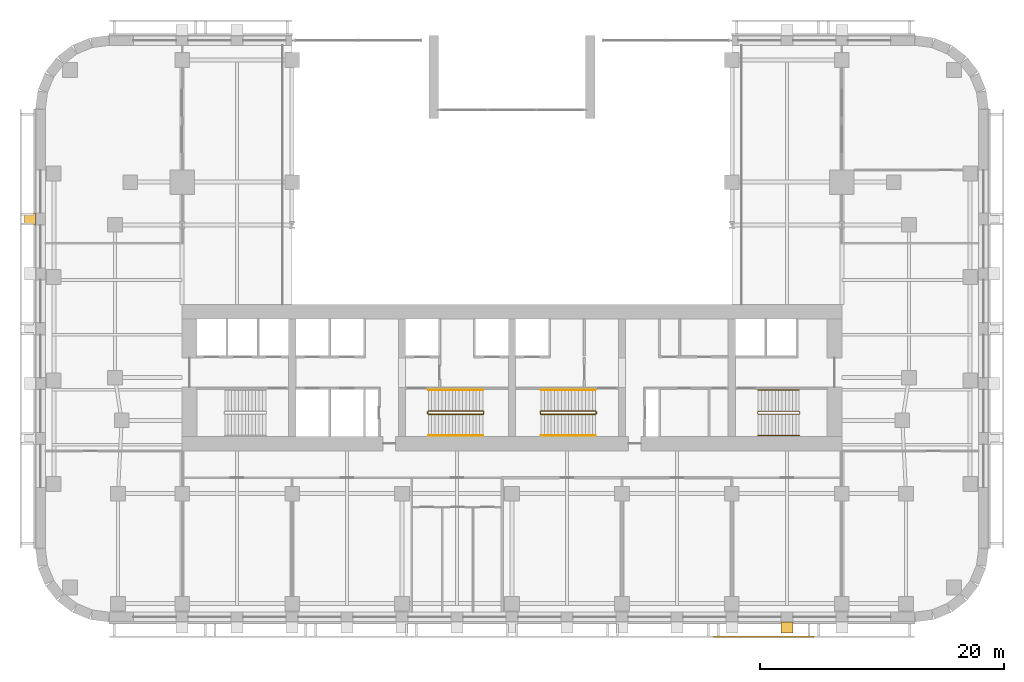
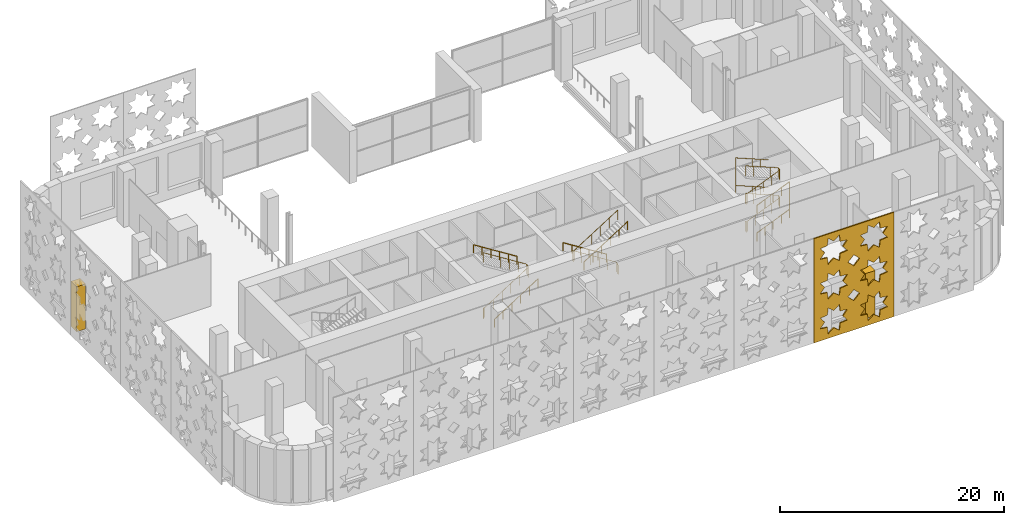
# One storey, part 13 of 17: 9 railings, 3 coverings.
"""IFC4 building model written with IfcOpenShell, lengths in metres."""

import ifcopenshell
import ifcopenshell.guid

model = None  # the IFC model being written
_history = None  # IfcOwnerHistory: only IFC2X3 demands one
_inside = {}  # id of a spatial element -> (the spatial element, [elements in it])
_under = {}  # id of a project, library or spatial element -> (it, [spatial elements below it])
_declared = {}  # id of a project -> (the project, [libraries it declares])
_typed = {}  # id of a type object -> (the type object, [elements of that type])
_made_of = {}  # id of a material, layer set ... -> (it, [elements and type objects made of it])


def new_model(schema):
    """Start an empty IFC model of exactly this schema.

    Asked for "IFC4X3", IfcOpenShell would pick the latest addendum, in which some entities
    have other attributes; the version numbers below select the first issue.
    IFC2X3 requires an IfcOwnerHistory on every rooted entity: one is made here for all.
    """
    global model, _history
    if schema == "IFC4X3":
        model = ifcopenshell.file(schema_version=(4, 3, 0, 0))
    else:
        model = ifcopenshell.file(schema=schema)
    _inside.clear()
    _under.clear()
    _declared.clear()
    _typed.clear()
    _made_of.clear()
    _history = None
    if model.schema == "IFC2X3":
        org = make("IfcOrganization", Name="unknown")
        user = make(
            "IfcPersonAndOrganization",
            ThePerson=make("IfcPerson", FamilyName="unknown"),
            TheOrganization=org,
        )
        app = make(
            "IfcApplication",
            ApplicationDeveloper=org,
            Version="unknown",
            ApplicationFullName="unknown",
            ApplicationIdentifier="unknown",
        )
        _history = make(
            "IfcOwnerHistory",
            OwningUser=user,
            OwningApplication=app,
            ChangeAction="ADDED",
            CreationDate=0,
        )
    return model


def make(cls, **values):
    """One entity of the class cls with the attributes given. An attribute that is None is left unset."""
    return model.create_entity(
        cls, **{name: value for name, value in values.items() if value is not None}
    )


def rooted(cls, **values):
    """An entity with a GlobalId (a new one), such as an element, a storey or a relation."""
    return make(cls, GlobalId=ifcopenshell.guid.new(), OwnerHistory=_history, **values)


def si_unit(unit_type, name, prefix=None):
    """IfcSIUnit, for example si_unit("LENGTHUNIT", "METRE", prefix="MILLI")."""
    return make("IfcSIUnit", UnitType=unit_type, Prefix=prefix, Name=name)


def assignment(units):
    """IfcUnitAssignment: the units of a project."""
    return None if units is None else make("IfcUnitAssignment", Units=units)


def point(xyz):
    """IfcCartesianPoint."""
    return None if xyz is None else make("IfcCartesianPoint", Coordinates=xyz)


def direction(xyz):
    """IfcDirection."""
    return None if xyz is None else make("IfcDirection", DirectionRatios=xyz)


def frame(location, z_axis=None, x_axis=None):
    """IfcAxis2Placement3D, a coordinate frame: its origin and axes. An axis left out is left unset."""
    return make(
        "IfcAxis2Placement3D",
        Location=point(location),
        Axis=direction(z_axis),
        RefDirection=direction(x_axis),
    )


def frame_2d(location, x_axis=None):
    """IfcAxis2Placement2D, a coordinate frame in the plane: its origin and x axis."""
    return make(
        "IfcAxis2Placement2D", Location=point(location), RefDirection=direction(x_axis)
    )


def origin():
    """The frame at (0, 0, 0) with its axes left unset."""
    return frame((0.0, 0.0, 0.0))


def origin_2d():
    """The frame at (0, 0) in the plane with its x axis left unset."""
    return frame_2d((0.0, 0.0))


def place(relative_to, where):
    """IfcLocalPlacement: puts the frame where relative to a parent placement (None: the world)."""
    return make(
        "IfcLocalPlacement", PlacementRelTo=relative_to, RelativePlacement=where
    )


def context(
    kind, dimensions, precision=None, world=None, true_north=None, identifier=None
):
    """IfcGeometricRepresentationContext, for example the 3D "Model" context."""
    return make(
        "IfcGeometricRepresentationContext",
        ContextIdentifier=identifier,
        ContextType=kind,
        CoordinateSpaceDimension=dimensions,
        Precision=precision,
        WorldCoordinateSystem=world,
        TrueNorth=true_north,
    )


def subcontext(parent, identifier, kind, view, scale=None):
    """IfcGeometricRepresentationSubContext, for example "Body" below "Model"."""
    return make(
        "IfcGeometricRepresentationSubContext",
        ContextIdentifier=identifier,
        ContextType=kind,
        ParentContext=parent,
        TargetScale=scale,
        TargetView=view,
    )


def project(units=None, contexts=None):
    """IfcProject with its units and contexts."""
    return rooted(
        "IfcProject",
        Name="project",
        RepresentationContexts=contexts,
        UnitsInContext=assignment(units),
    )


def spatial(cls, under=None, at=None, **own):
    """A site, building, storey or space (cls), placed at a placement, below another one or the project."""
    s = rooted(cls, ObjectPlacement=at, **own)
    if under is not None:
        _under.setdefault(under.id(), (under, []))[1].append(s)
    return s


def polyline(points):
    """IfcPolyline through the points."""
    return make("IfcPolyline", Points=[point(p) for p in points])


def profile(cls, at=None, kind="AREA", **sizes):
    """A parametric profile (cls). Its sizes go by their IFC names, for example OverallWidth=200.0."""
    return make(cls, ProfileType=kind, Position=at, **sizes)


def circle(**sizes):
    """IfcCircleProfileDef."""
    return profile("IfcCircleProfileDef", **sizes)


def outline(outer, holes=None, kind="AREA"):
    """IfcArbitraryClosedProfileDef: a profile drawn as a closed curve; with holes, ...WithVoids."""
    if holes is None:
        return make("IfcArbitraryClosedProfileDef", ProfileType=kind, OuterCurve=outer)
    return make(
        "IfcArbitraryProfileDefWithVoids",
        ProfileType=kind,
        OuterCurve=outer,
        InnerCurves=holes,
    )


def extrude(swept, where, along, depth):
    """IfcExtrudedAreaSolid: the profile swept, set in the frame where, extruded along a direction by depth."""
    return make(
        "IfcExtrudedAreaSolid",
        SweptArea=swept,
        Position=where,
        ExtrudedDirection=direction(along),
        Depth=depth,
    )


def shape(context_of_items, identifier, shape_type, items):
    """IfcShapeRepresentation: the items that make up one representation, for example the "Body"."""
    return make(
        "IfcShapeRepresentation",
        ContextOfItems=context_of_items,
        RepresentationIdentifier=identifier,
        RepresentationType=shape_type,
        Items=items,
    )


def material(Name=None, Category=None):
    """IfcMaterial."""
    return make("IfcMaterial", Name=Name, Category=Category)


def layer(
    of_material, thickness, ventilated=None, Name=None, Category=None, Priority=None
):
    """IfcMaterialLayer: one layer of a wall or slab, of a material (None: an air gap)."""
    return make(
        "IfcMaterialLayer",
        Material=of_material,
        LayerThickness=thickness,
        IsVentilated=ventilated,
        Name=Name,
        Category=Category,
        Priority=Priority,
    )


def layer_set(layers, Name=None):
    """IfcMaterialLayerSet."""
    return make("IfcMaterialLayerSet", MaterialLayers=layers, LayerSetName=Name)


def made_of(thing, what):
    """Note that an element or type object is made of a material, layer set ...; save() writes the relation."""
    if what is not None:
        _made_of.setdefault(what.id(), (what, []))[1].append(thing)
    return thing


def type_object(cls, material=None, **own):
    """A type object (cls), such as IfcWallType, which elements share."""
    return made_of(rooted(cls, **own), material)


def element(
    cls,
    number,
    at=None,
    inside=None,
    cuts=None,
    type_object=None,
    material=None,
    context=None,
    identifier="Body",
    shape_type=None,
    held_by="IfcProductDefinitionShape",
    body=None,
    shapes=None,
    **own,
):
    """One element of the class cls, such as IfcWall. Its Tag is "e" and its number.

    at: its placement. inside: the storey or other place that contains it. cuts: it is an
    opening in that element (IfcRelVoidsElement). A single representation is given by context,
    identifier, shape_type and body (its items); several are given by shapes. held_by: the class
    of the entity that holds the representations. save() writes the other relations.
    """
    e = rooted(cls, Tag="e%d" % number, ObjectPlacement=at, **own)
    if body is not None:
        shapes = [shape(context, identifier, shape_type, body)]
    if shapes is not None:
        e.Representation = make(held_by, Representations=shapes)
    if inside is not None:
        _inside.setdefault(inside.id(), (inside, []))[1].append(e)
    if cuts is not None:
        rooted(
            "IfcRelVoidsElement", RelatingBuildingElement=cuts, RelatedOpeningElement=e
        )
    if type_object is not None:
        _typed.setdefault(type_object.id(), (type_object, []))[1].append(e)
    return made_of(e, material)


def aggregate(whole, parts):
    """IfcRelAggregates: a whole, such as a stair, and the parts it consists of."""
    return rooted("IfcRelAggregates", RelatingObject=whole, RelatedObjects=parts)


def save(model, path):
    """Write the relations noted so far, then the file.

    IfcRelAggregates (storeys below a building ...), IfcRelContainedInSpatialStructure (elements
    in a storey), IfcRelDefinesByType, IfcRelAssociatesMaterial and IfcRelDeclares: one each for
    every whole, place, type object, material and project.
    """
    for whole, parts in _under.values():
        aggregate(whole, parts)
    for where, things in _inside.values():
        rooted(
            "IfcRelContainedInSpatialStructure",
            RelatedElements=things,
            RelatingStructure=where,
        )
    for kind, things in _typed.values():
        rooted("IfcRelDefinesByType", RelatedObjects=things, RelatingType=kind)
    for what, things in _made_of.values():
        rooted("IfcRelAssociatesMaterial", RelatedObjects=things, RelatingMaterial=what)
    for by, libraries in _declared.values():
        rooted("IfcRelDeclares", RelatingContext=by, RelatedDefinitions=libraries)
    model.write(path)


model = new_model("IFC4")

# Units and contexts
model_context = context("Model", 3, precision=1e-05, world=origin(), true_north=direction((0.0, 1.0)))
body_context = subcontext(model_context, "Body", "Model", "MODEL_VIEW")
ifc_project = project(units=[si_unit("LENGTHUNIT", "METRE"), si_unit("AREAUNIT", "SQUARE_METRE"), si_unit("VOLUMEUNIT", "CUBIC_METRE"), si_unit("PLANEANGLEUNIT", "RADIAN"), si_unit("MASSUNIT", "GRAM", prefix="KILO")], contexts=[model_context])

# Site, building, storey
site_placement = place(None, origin())
site = spatial("IfcSite", under=ifc_project, at=site_placement, CompositionType="ELEMENT")
building_placement = place(site_placement, origin())
building = spatial("IfcBuilding", under=site, at=building_placement, Name="Zellij Exchange Tower", CompositionType="ELEMENT")
storey_placement = place(building_placement, frame((0.0, 0.0, 9.0)))
storey = spatial("IfcBuildingStorey", under=building, at=storey_placement, Name="L01", CompositionType="ELEMENT", Elevation=9.0)

# Railings
ifc_material_1 = material(Name="Stainless steel", Category="steel")
railing_type_1 = type_object("IfcRailingType", Name="CORE-RG stair guard", PredefinedType="GUARDRAIL", material=ifc_material_1)
railing_1_placement = place(storey_placement, frame((-6.89990234375, -10.949951171875, 0.0)))
element("IfcRailing", 1, at=railing_1_placement, inside=storey, type_object=railing_type_1, Name="ST2 stair guard L01", PredefinedType="GUARDRAIL", context=body_context, shape_type="SweptSolid", body=[
    extrude(circle(Radius=0.02392578125, at=origin_2d()), frame((0.0, 0.0, 1.076171875), z_axis=(0.0, 1.0, 0.0), x_axis=(-1.0, 0.0, 0.0)), (0.0, 0.0, 1.0), 0.14990234375),
    extrude(circle(Radius=0.02392578125, at=origin_2d()), frame((0.0, 0.14990234375, 1.076171875), z_axis=(0.183560001127, -0.736939416289, 0.650558239288), x_axis=(0.970351222016, 0.241699205484, 0.0)), (0.0, 0.0, 1.0), 0.271240234375),
    extrude(circle(Radius=0.02392578125, at=origin_2d()), frame((0.0498046875, -0.050048828125, 1.25244140625), z_axis=(0.845997938375, 0.0, 0.533186166611), x_axis=(0.0, 1.0, 0.0)), (0.0, 0.0, 1.0), 5.29541015625),
    extrude(circle(Radius=0.02392578125, at=origin_2d()), frame((4.52978515625, -0.050048828125, 4.076171875), z_axis=(0.707106781187, 0.707106781187, 0.0), x_axis=(-0.707106781187, 0.707106781187, 0.0)), (0.0, 0.0, 1.0), 0.07080078125),
    extrude(circle(Radius=0.02392578125, at=origin_2d()), frame((4.579833984375, 0.0, 4.076171875), z_axis=(0.0, 1.0, 0.0), x_axis=(-1.0, 0.0, 0.0)), (0.0, 0.0, 1.0), 0.14990234375),
    extrude(circle(Radius=0.02392578125, at=origin_2d()), frame((4.579833984375, 0.14990234375, 4.076171875), z_axis=(-0.263171338983, 0.263171338983, 0.928160380902), x_axis=(-0.707106781187, -0.707106781187, 0.0)), (0.0, 0.0, 1.0), 0.190185546875),
    extrude(circle(Radius=0.02392578125, at=origin_2d()), frame((4.52978515625, 0.199951171875, 4.25244140625), z_axis=(-0.845997938375, 0.0, 0.533186166611), x_axis=(0.0, -1.0, 0.0)), (0.0, 0.0, 1.0), 5.29541015625),
    extrude(circle(Radius=0.02099609375, at=origin_2d()), origin(), (0.0, 0.0, 1.0), 1.052001953125),
    extrude(circle(Radius=0.02099609375, at=origin_2d()), frame((0.0, 0.14990234375, 0.0)), (0.0, 0.0, 1.0), 1.052001953125),
    extrude(circle(Radius=0.02099609375, at=origin_2d()), frame((0.0498046875, -0.050048828125, 0.176513671875)), (0.0, 0.0, 1.0), 1.052001953125),
    extrude(circle(Radius=0.02099609375, at=origin_2d()), frame((0.94580078125, -0.050048828125, 0.7412109375)), (0.0, 0.0, 1.0), 1.052001953125),
    extrude(circle(Radius=0.02099609375, at=origin_2d()), frame((1.841796875, -0.050048828125, 1.305908203125)), (0.0, 0.0, 1.0), 1.052001953125),
    extrude(circle(Radius=0.02099609375, at=origin_2d()), frame((2.73779296875, -0.050048828125, 1.87060546875)), (0.0, 0.0, 1.0), 1.052001953125),
    extrude(circle(Radius=0.02099609375, at=origin_2d()), frame((3.6337890625, -0.050048828125, 2.435302734375)), (0.0, 0.0, 1.0), 1.052001953125),
    extrude(circle(Radius=0.02099609375, at=origin_2d()), frame((4.52978515625, -0.050048828125, 3.0)), (0.0, 0.0, 1.0), 1.052001953125),
    extrude(circle(Radius=0.02099609375, at=origin_2d()), frame((4.579833984375, 0.0, 3.0)), (0.0, 0.0, 1.0), 1.052001953125),
    extrude(circle(Radius=0.02099609375, at=origin_2d()), frame((4.579833984375, 0.14990234375, 3.0)), (0.0, 0.0, 1.0), 1.052001953125),
    extrude(circle(Radius=0.02099609375, at=origin_2d()), frame((4.52978515625, 0.199951171875, 3.176513671875)), (0.0, 0.0, 1.0), 1.052001953125),
    extrude(circle(Radius=0.02099609375, at=origin_2d()), frame((3.6337890625, 0.199951171875, 3.7412109375)), (0.0, 0.0, 1.0), 1.052001953125),
    extrude(circle(Radius=0.02099609375, at=origin_2d()), frame((2.73779296875, 0.199951171875, 4.305908203125)), (0.0, 0.0, 1.0), 1.052001953125),
    extrude(circle(Radius=0.02099609375, at=origin_2d()), frame((1.841796875, 0.199951171875, 4.87060546875)), (0.0, 0.0, 1.0), 1.052001953125),
    extrude(circle(Radius=0.02099609375, at=origin_2d()), frame((0.94580078125, 0.199951171875, 5.435302734375)), (0.0, 0.0, 1.0), 1.052001953125),
    extrude(circle(Radius=0.02099609375, at=origin_2d()), frame((0.0498046875, 0.199951171875, 6.0)), (0.0, 0.0, 1.0), 1.052001953125),
])
railing_2_placement = place(storey_placement, frame((6.89990234375, -10.800048828125, 0.0)))
element("IfcRailing", 2, at=railing_2_placement, inside=storey, type_object=railing_type_1, Name="ST3 stair guard L01", PredefinedType="GUARDRAIL", context=body_context, shape_type="SweptSolid", body=[
    extrude(circle(Radius=0.02392578125, at=origin_2d()), frame((0.0, 0.0, 1.076171875), z_axis=(0.0, -1.0, 0.0), x_axis=(1.0, 0.0, 0.0)), (0.0, 0.0, 1.0), 0.14990234375),
    extrude(circle(Radius=0.02392578125, at=origin_2d()), frame((0.0, -0.14990234375, 1.076171875), z_axis=(-0.183560001127, 0.736939416289, 0.650558239288), x_axis=(-0.970351222016, -0.241699205484, 0.0)), (0.0, 0.0, 1.0), 0.271240234375),
    extrude(circle(Radius=0.02392578125, at=origin_2d()), frame((-0.0498046875, 0.050048828125, 1.25244140625), z_axis=(-0.845997938375, 0.0, 0.533186166611), x_axis=(0.0, -1.0, 0.0)), (0.0, 0.0, 1.0), 5.29541015625),
    extrude(circle(Radius=0.02392578125, at=origin_2d()), frame((-4.52978515625, 0.050048828125, 4.076171875), z_axis=(-0.707106781187, -0.707106781187, 0.0), x_axis=(0.707106781187, -0.707106781187, 0.0)), (0.0, 0.0, 1.0), 0.07080078125),
    extrude(circle(Radius=0.02392578125, at=origin_2d()), frame((-4.579833984375, 0.0, 4.076171875), z_axis=(0.0, -1.0, 0.0), x_axis=(1.0, 0.0, 0.0)), (0.0, 0.0, 1.0), 0.14990234375),
    extrude(circle(Radius=0.02392578125, at=origin_2d()), frame((-4.579833984375, -0.14990234375, 4.076171875), z_axis=(0.263171338983, -0.263171338983, 0.928160380902), x_axis=(0.707106781187, 0.707106781187, 0.0)), (0.0, 0.0, 1.0), 0.190185546875),
    extrude(circle(Radius=0.02392578125, at=origin_2d()), frame((-4.52978515625, -0.199951171875, 4.25244140625), z_axis=(0.845997938375, 0.0, 0.533186166611), x_axis=(0.0, 1.0, 0.0)), (0.0, 0.0, 1.0), 5.29541015625),
    extrude(circle(Radius=0.02099609375, at=origin_2d()), origin(), (0.0, 0.0, 1.0), 1.052001953125),
    extrude(circle(Radius=0.02099609375, at=origin_2d()), frame((0.0, -0.14990234375, 0.0)), (0.0, 0.0, 1.0), 1.052001953125),
    extrude(circle(Radius=0.02099609375, at=origin_2d()), frame((-0.0498046875, 0.050048828125, 0.176513671875)), (0.0, 0.0, 1.0), 1.052001953125),
    extrude(circle(Radius=0.02099609375, at=origin_2d()), frame((-0.94580078125, 0.050048828125, 0.7412109375)), (0.0, 0.0, 1.0), 1.052001953125),
    extrude(circle(Radius=0.02099609375, at=origin_2d()), frame((-1.841796875, 0.050048828125, 1.305908203125)), (0.0, 0.0, 1.0), 1.052001953125),
    extrude(circle(Radius=0.02099609375, at=origin_2d()), frame((-2.73779296875, 0.050048828125, 1.87060546875)), (0.0, 0.0, 1.0), 1.052001953125),
    extrude(circle(Radius=0.02099609375, at=origin_2d()), frame((-3.6337890625, 0.050048828125, 2.435302734375)), (0.0, 0.0, 1.0), 1.052001953125),
    extrude(circle(Radius=0.02099609375, at=origin_2d()), frame((-4.52978515625, 0.050048828125, 3.0)), (0.0, 0.0, 1.0), 1.052001953125),
    extrude(circle(Radius=0.02099609375, at=origin_2d()), frame((-4.579833984375, 0.0, 3.0)), (0.0, 0.0, 1.0), 1.052001953125),
    extrude(circle(Radius=0.02099609375, at=origin_2d()), frame((-4.579833984375, -0.14990234375, 3.0)), (0.0, 0.0, 1.0), 1.052001953125),
    extrude(circle(Radius=0.02099609375, at=origin_2d()), frame((-4.52978515625, -0.199951171875, 3.176513671875)), (0.0, 0.0, 1.0), 1.052001953125),
    extrude(circle(Radius=0.02099609375, at=origin_2d()), frame((-3.6337890625, -0.199951171875, 3.7412109375)), (0.0, 0.0, 1.0), 1.052001953125),
    extrude(circle(Radius=0.02099609375, at=origin_2d()), frame((-2.73779296875, -0.199951171875, 4.305908203125)), (0.0, 0.0, 1.0), 1.052001953125),
    extrude(circle(Radius=0.02099609375, at=origin_2d()), frame((-1.841796875, -0.199951171875, 4.87060546875)), (0.0, 0.0, 1.0), 1.052001953125),
    extrude(circle(Radius=0.02099609375, at=origin_2d()), frame((-0.94580078125, -0.199951171875, 5.435302734375)), (0.0, 0.0, 1.0), 1.052001953125),
    extrude(circle(Radius=0.02099609375, at=origin_2d()), frame((-0.0498046875, -0.199951171875, 6.0)), (0.0, 0.0, 1.0), 1.052001953125),
])
railing_3_placement = place(storey_placement, frame((20.10009765625, -10.949951171875, 0.0)))
element("IfcRailing", 3, at=railing_3_placement, inside=storey, type_object=railing_type_1, Name="ST4 stair guard L01", PredefinedType="GUARDRAIL", context=body_context, shape_type="SweptSolid", body=[
    extrude(circle(Radius=0.02392578125, at=origin_2d()), frame((0.0, 0.0, 1.076171875), z_axis=(0.0, 1.0, 0.0), x_axis=(-1.0, 0.0, 0.0)), (0.0, 0.0, 1.0), 0.14990234375),
    extrude(circle(Radius=0.02392578125, at=origin_2d()), frame((0.0, 0.14990234375, 1.076171875), z_axis=(0.210847110147, -0.846489133385, 0.488875897547), x_axis=(0.970351222016, 0.241699205484, 0.0)), (0.0, 0.0, 1.0), 0.236328125),
    extrude(circle(Radius=0.02392578125, at=origin_2d()), frame((0.0498046875, -0.050048828125, 1.19140625), z_axis=(0.924586246868, 0.0, 0.380972797064), x_axis=(0.0, 1.0, 0.0)), (0.0, 0.0, 1.0), 3.63427734375),
    extrude(circle(Radius=0.02392578125, at=origin_2d()), frame((3.409912109375, -0.050048828125, 2.576171875), z_axis=(0.707106781187, 0.707106781187, 0.0), x_axis=(-0.707106781187, 0.707106781187, 0.0)), (0.0, 0.0, 1.0), 0.07080078125),
    extrude(circle(Radius=0.02392578125, at=origin_2d()), frame((3.4599609375, 0.0, 2.576171875), z_axis=(0.0, 1.0, 0.0), x_axis=(-1.0, 0.0, 0.0)), (0.0, 0.0, 1.0), 0.14990234375),
    extrude(circle(Radius=0.02392578125, at=origin_2d()), frame((3.4599609375, 0.14990234375, 2.576171875), z_axis=(-0.3695169537, 0.3695169537, 0.852592776099), x_axis=(-0.707106781187, -0.707106781187, 0.0)), (0.0, 0.0, 1.0), 0.135498046875),
    extrude(circle(Radius=0.02392578125, at=origin_2d()), frame((3.409912109375, 0.199951171875, 2.69140625), z_axis=(-0.924586246868, 0.0, 0.380972797064), x_axis=(0.0, -1.0, 0.0)), (0.0, 0.0, 1.0), 3.63427734375),
    extrude(circle(Radius=0.02392578125, at=origin_2d()), frame((0.0498046875, 0.199951171875, 4.076171875), z_axis=(-0.241699205484, -0.970351222016, 0.0), x_axis=(0.970351222016, -0.241699205484, 0.0)), (0.0, 0.0, 1.0), 0.2060546875),
    extrude(circle(Radius=0.02392578125, at=origin_2d()), frame((0.0, 0.0, 4.076171875), z_axis=(0.0, 1.0, 0.0), x_axis=(-1.0, 0.0, 0.0)), (0.0, 0.0, 1.0), 0.14990234375),
    extrude(circle(Radius=0.02392578125, at=origin_2d()), frame((0.0, 0.14990234375, 4.076171875), z_axis=(0.210847110147, -0.846489133385, 0.488875897547), x_axis=(0.970351222016, 0.241699205484, 0.0)), (0.0, 0.0, 1.0), 0.236328125),
    extrude(circle(Radius=0.02392578125, at=origin_2d()), frame((0.0498046875, -0.050048828125, 4.19140625), z_axis=(0.924586246868, 0.0, 0.380972797064), x_axis=(0.0, 1.0, 0.0)), (0.0, 0.0, 1.0), 3.63427734375),
    extrude(circle(Radius=0.02392578125, at=origin_2d()), frame((3.409912109375, -0.050048828125, 5.576171875), z_axis=(0.707106781187, 0.707106781187, 0.0), x_axis=(-0.707106781187, 0.707106781187, 0.0)), (0.0, 0.0, 1.0), 0.07080078125),
    extrude(circle(Radius=0.02392578125, at=origin_2d()), frame((3.4599609375, 0.0, 5.576171875), z_axis=(0.0, 1.0, 0.0), x_axis=(-1.0, 0.0, 0.0)), (0.0, 0.0, 1.0), 0.14990234375),
    extrude(circle(Radius=0.02392578125, at=origin_2d()), frame((3.4599609375, 0.14990234375, 5.576171875), z_axis=(-0.3695169537, 0.3695169537, 0.852592776099), x_axis=(-0.707106781187, -0.707106781187, 0.0)), (0.0, 0.0, 1.0), 0.135498046875),
    extrude(circle(Radius=0.02392578125, at=origin_2d()), frame((3.409912109375, 0.199951171875, 5.69140625), z_axis=(-0.924586246868, 0.0, 0.380972797064), x_axis=(0.0, -1.0, 0.0)), (0.0, 0.0, 1.0), 3.63427734375),
    extrude(circle(Radius=0.02099609375, at=origin_2d()), origin(), (0.0, 0.0, 1.0), 1.052001953125),
    extrude(circle(Radius=0.02099609375, at=origin_2d()), frame((0.0, 0.14990234375, 0.0)), (0.0, 0.0, 1.0), 1.052001953125),
    extrude(circle(Radius=0.02099609375, at=origin_2d()), frame((0.0498046875, -0.050048828125, 0.115478515625)), (0.0, 0.0, 1.0), 1.052001953125),
    extrude(circle(Radius=0.02099609375, at=origin_2d()), frame((0.889892578125, -0.050048828125, 0.461669921875)), (0.0, 0.0, 1.0), 1.052001953125),
    extrude(circle(Radius=0.02099609375, at=origin_2d()), frame((1.72998046875, -0.050048828125, 0.8076171875)), (0.0, 0.0, 1.0), 1.052001953125),
    extrude(circle(Radius=0.02099609375, at=origin_2d()), frame((2.56982421875, -0.050048828125, 1.15380859375)), (0.0, 0.0, 1.0), 1.052001953125),
    extrude(circle(Radius=0.02099609375, at=origin_2d()), frame((3.409912109375, -0.050048828125, 1.5)), (0.0, 0.0, 1.0), 1.052001953125),
    extrude(circle(Radius=0.02099609375, at=origin_2d()), frame((3.4599609375, 0.0, 1.5)), (0.0, 0.0, 1.0), 1.052001953125),
    extrude(circle(Radius=0.02099609375, at=origin_2d()), frame((3.4599609375, 0.14990234375, 1.5)), (0.0, 0.0, 1.0), 1.052001953125),
    extrude(circle(Radius=0.02099609375, at=origin_2d()), frame((3.409912109375, 0.199951171875, 1.615478515625)), (0.0, 0.0, 1.0), 1.052001953125),
    extrude(circle(Radius=0.02099609375, at=origin_2d()), frame((2.56982421875, 0.199951171875, 1.961669921875)), (0.0, 0.0, 1.0), 1.052001953125),
    extrude(circle(Radius=0.02099609375, at=origin_2d()), frame((1.72998046875, 0.199951171875, 2.3076171875)), (0.0, 0.0, 1.0), 1.052001953125),
    extrude(circle(Radius=0.02099609375, at=origin_2d()), frame((0.889892578125, 0.199951171875, 2.65380859375)), (0.0, 0.0, 1.0), 1.052001953125),
    extrude(circle(Radius=0.02099609375, at=origin_2d()), frame((0.0498046875, 0.199951171875, 3.0)), (0.0, 0.0, 1.0), 1.052001953125),
    extrude(circle(Radius=0.02099609375, at=origin_2d()), frame((0.0, 0.0, 3.0)), (0.0, 0.0, 1.0), 1.052001953125),
    extrude(circle(Radius=0.02099609375, at=origin_2d()), frame((0.0, 0.14990234375, 3.0)), (0.0, 0.0, 1.0), 1.052001953125),
    extrude(circle(Radius=0.02099609375, at=origin_2d()), frame((0.0498046875, -0.050048828125, 3.115478515625)), (0.0, 0.0, 1.0), 1.052001953125),
    extrude(circle(Radius=0.02099609375, at=origin_2d()), frame((0.889892578125, -0.050048828125, 3.461669921875)), (0.0, 0.0, 1.0), 1.052001953125),
    extrude(circle(Radius=0.02099609375, at=origin_2d()), frame((1.72998046875, -0.050048828125, 3.8076171875)), (0.0, 0.0, 1.0), 1.052001953125),
    extrude(circle(Radius=0.02099609375, at=origin_2d()), frame((2.56982421875, -0.050048828125, 4.15380859375)), (0.0, 0.0, 1.0), 1.052001953125),
    extrude(circle(Radius=0.02099609375, at=origin_2d()), frame((3.409912109375, -0.050048828125, 4.5)), (0.0, 0.0, 1.0), 1.052001953125),
    extrude(circle(Radius=0.02099609375, at=origin_2d()), frame((3.4599609375, 0.0, 4.5)), (0.0, 0.0, 1.0), 1.052001953125),
    extrude(circle(Radius=0.02099609375, at=origin_2d()), frame((3.4599609375, 0.14990234375, 4.5)), (0.0, 0.0, 1.0), 1.052001953125),
    extrude(circle(Radius=0.02099609375, at=origin_2d()), frame((3.409912109375, 0.199951171875, 4.615478515625)), (0.0, 0.0, 1.0), 1.052001953125),
    extrude(circle(Radius=0.02099609375, at=origin_2d()), frame((2.56982421875, 0.199951171875, 4.961669921875)), (0.0, 0.0, 1.0), 1.052001953125),
    extrude(circle(Radius=0.02099609375, at=origin_2d()), frame((1.72998046875, 0.199951171875, 5.3076171875)), (0.0, 0.0, 1.0), 1.052001953125),
    extrude(circle(Radius=0.02099609375, at=origin_2d()), frame((0.889892578125, 0.199951171875, 5.65380859375)), (0.0, 0.0, 1.0), 1.052001953125),
    extrude(circle(Radius=0.02099609375, at=origin_2d()), frame((0.0498046875, 0.199951171875, 6.0)), (0.0, 0.0, 1.0), 1.052001953125),
])
railing_type_2 = type_object("IfcRailingType", Name="CORE-RH stair handrail", PredefinedType="HANDRAIL", material=ifc_material_1)
railing_4_placement = place(storey_placement, frame((-6.85009765625, -12.75, 0.176513671875)))
element("IfcRailing", 4, at=railing_4_placement, inside=storey, type_object=railing_type_2, Name="ST2 stair handrail L01", PredefinedType="HANDRAIL", context=body_context, shape_type="SweptSolid", body=[
    extrude(circle(Radius=0.02392578125, at=origin_2d()), frame((0.0, 0.0, 0.8759765625), z_axis=(0.845997938375, 0.0, 0.533186166611), x_axis=(0.0, 1.0, 0.0)), (0.0, 0.0, 1.0), 5.29541015625),
    extrude(circle(Radius=0.02099609375, at=origin_2d()), origin(), (0.0, 0.0, 1.0), 0.851806640625),
    extrude(circle(Radius=0.02099609375, at=origin_2d()), frame((0.89599609375, 0.0, 0.564697265625)), (0.0, 0.0, 1.0), 0.851806640625),
    extrude(circle(Radius=0.02099609375, at=origin_2d()), frame((1.7919921875, 0.0, 1.12939453125)), (0.0, 0.0, 1.0), 0.851806640625),
    extrude(circle(Radius=0.02099609375, at=origin_2d()), frame((2.68798828125, 0.0, 1.694091796875)), (0.0, 0.0, 1.0), 0.851806640625),
    extrude(circle(Radius=0.02099609375, at=origin_2d()), frame((3.583984375, 0.0, 2.2587890625)), (0.0, 0.0, 1.0), 0.851806640625),
    extrude(circle(Radius=0.02099609375, at=origin_2d()), frame((4.47998046875, 0.0, 2.823486328125)), (0.0, 0.0, 1.0), 0.851806640625),
])
for number, where, name in (
    (5, (-2.3701171875, -9.0, 3.176513671875), "ST2 stair handrail L01"),
    (6, (6.85009765625, -9.0, 0.176513671875), "ST3 stair handrail L01"),
):
    element("IfcRailing", number, at=place(storey_placement, frame(where)), inside=storey, type_object=railing_type_2, Name=name, PredefinedType="HANDRAIL", context=body_context, shape_type="SweptSolid", body=[
        extrude(circle(Radius=0.02392578125, at=origin_2d()), frame((0.0, 0.0, 0.8759765625), z_axis=(-0.845997938375, 0.0, 0.533186166611), x_axis=(0.0, -1.0, 0.0)), (0.0, 0.0, 1.0), 5.29541015625),
        extrude(circle(Radius=0.02099609375, at=origin_2d()), origin(), (0.0, 0.0, 1.0), 0.851806640625),
        extrude(circle(Radius=0.02099609375, at=origin_2d()), frame((-0.89599609375, 0.0, 0.564697265625)), (0.0, 0.0, 1.0), 0.851806640625),
        extrude(circle(Radius=0.02099609375, at=origin_2d()), frame((-1.7919921875, 0.0, 1.12939453125)), (0.0, 0.0, 1.0), 0.851806640625),
        extrude(circle(Radius=0.02099609375, at=origin_2d()), frame((-2.68798828125, 0.0, 1.694091796875)), (0.0, 0.0, 1.0), 0.851806640625),
        extrude(circle(Radius=0.02099609375, at=origin_2d()), frame((-3.583984375, 0.0, 2.2587890625)), (0.0, 0.0, 1.0), 0.851806640625),
        extrude(circle(Radius=0.02099609375, at=origin_2d()), frame((-4.47998046875, 0.0, 2.823486328125)), (0.0, 0.0, 1.0), 0.851806640625),
    ])
railing_5_placement = place(storey_placement, frame((2.3701171875, -12.75, 3.176513671875)))
element("IfcRailing", 7, at=railing_5_placement, inside=storey, type_object=railing_type_2, Name="ST3 stair handrail L01", PredefinedType="HANDRAIL", context=body_context, shape_type="SweptSolid", body=[
    extrude(circle(Radius=0.02392578125, at=origin_2d()), frame((0.0, 0.0, 0.8759765625), z_axis=(0.845997938375, 0.0, 0.533186166611), x_axis=(0.0, 1.0, 0.0)), (0.0, 0.0, 1.0), 5.29541015625),
    extrude(circle(Radius=0.02099609375, at=origin_2d()), origin(), (0.0, 0.0, 1.0), 0.851806640625),
    extrude(circle(Radius=0.02099609375, at=origin_2d()), frame((0.89599609375, 0.0, 0.564697265625)), (0.0, 0.0, 1.0), 0.851806640625),
    extrude(circle(Radius=0.02099609375, at=origin_2d()), frame((1.7919921875, 0.0, 1.12939453125)), (0.0, 0.0, 1.0), 0.851806640625),
    extrude(circle(Radius=0.02099609375, at=origin_2d()), frame((2.68798828125, 0.0, 1.694091796875)), (0.0, 0.0, 1.0), 0.851806640625),
    extrude(circle(Radius=0.02099609375, at=origin_2d()), frame((3.583984375, 0.0, 2.2587890625)), (0.0, 0.0, 1.0), 0.851806640625),
    extrude(circle(Radius=0.02099609375, at=origin_2d()), frame((4.47998046875, 0.0, 2.823486328125)), (0.0, 0.0, 1.0), 0.851806640625),
])
railing_6_placement = place(storey_placement, frame((20.14990234375, -12.75, 0.115478515625)))
element("IfcRailing", 8, at=railing_6_placement, inside=storey, type_object=railing_type_2, Name="ST4 stair handrail L01", PredefinedType="HANDRAIL", context=body_context, shape_type="SweptSolid", body=[
    extrude(circle(Radius=0.02392578125, at=origin_2d()), frame((0.0, 0.0, 0.8759765625), z_axis=(0.924586246868, 0.0, 0.380972797064), x_axis=(0.0, 1.0, 0.0)), (0.0, 0.0, 1.0), 3.63427734375),
    extrude(circle(Radius=0.02392578125, at=origin_2d()), frame((3.360107421875, 0.0, 2.26025390625), z_axis=(0.0, 0.0, 1.0), x_axis=(1.0, 0.0, 0.0)), (0.0, 0.0, 1.0), 3.0),
    extrude(circle(Radius=0.02392578125, at=origin_2d()), frame((3.360107421875, 0.0, 5.26025390625), z_axis=(-0.924586246868, 0.0, -0.380972797064), x_axis=(0.0, -1.0, 0.0)), (0.0, 0.0, 1.0), 3.63427734375),
    extrude(circle(Radius=0.02099609375, at=origin_2d()), origin(), (0.0, 0.0, 1.0), 0.851806640625),
    extrude(circle(Radius=0.02099609375, at=origin_2d()), frame((0.840087890625, 0.0, 0.34619140625)), (0.0, 0.0, 1.0), 0.851806640625),
    extrude(circle(Radius=0.02099609375, at=origin_2d()), frame((1.68017578125, 0.0, 0.6923828125)), (0.0, 0.0, 1.0), 0.851806640625),
    extrude(circle(Radius=0.02099609375, at=origin_2d()), frame((2.52001953125, 0.0, 1.038330078125)), (0.0, 0.0, 1.0), 0.851806640625),
    extrude(circle(Radius=0.02099609375, at=origin_2d()), frame((3.360107421875, 0.0, 1.384521484375)), (0.0, 0.0, 1.0), 0.851806640625),
    extrude(circle(Radius=0.02099609375, at=origin_2d()), frame((3.360107421875, 0.0, 2.384521484375)), (0.0, 0.0, 1.0), 0.851806640625),
    extrude(circle(Radius=0.02099609375, at=origin_2d()), frame((3.360107421875, 0.0, 3.384521484375)), (0.0, 0.0, 1.0), 0.851806640625),
    extrude(circle(Radius=0.02099609375, at=origin_2d()), frame((3.360107421875, 0.0, 4.384521484375)), (0.0, 0.0, 1.0), 0.851806640625),
    extrude(circle(Radius=0.02099609375, at=origin_2d()), frame((2.52001953125, 0.0, 4.038330078125)), (0.0, 0.0, 1.0), 0.851806640625),
    extrude(circle(Radius=0.02099609375, at=origin_2d()), frame((1.68017578125, 0.0, 3.6923828125)), (0.0, 0.0, 1.0), 0.851806640625),
    extrude(circle(Radius=0.02099609375, at=origin_2d()), frame((0.840087890625, 0.0, 3.34619140625)), (0.0, 0.0, 1.0), 0.851806640625),
    extrude(circle(Radius=0.02099609375, at=origin_2d()), frame((0.0, 0.0, 3.0)), (0.0, 0.0, 1.0), 0.851806640625),
])
railing_7_placement = place(storey_placement, frame((23.510009765625, -9.0, 1.615478515625)))
element("IfcRailing", 9, at=railing_7_placement, inside=storey, type_object=railing_type_2, Name="ST4 stair handrail L01", PredefinedType="HANDRAIL", context=body_context, shape_type="SweptSolid", body=[
    extrude(circle(Radius=0.02392578125, at=origin_2d()), frame((0.0, 0.0, 0.8759765625), z_axis=(-0.924586246868, 0.0, 0.380972797064), x_axis=(0.0, -1.0, 0.0)), (0.0, 0.0, 1.0), 3.63427734375),
    extrude(circle(Radius=0.02392578125, at=origin_2d()), frame((-3.360107421875, 0.0, 2.26025390625), z_axis=(0.0, 0.0, 1.0), x_axis=(1.0, 0.0, 0.0)), (0.0, 0.0, 1.0), 3.0),
    extrude(circle(Radius=0.02392578125, at=origin_2d()), frame((-3.360107421875, 0.0, 5.26025390625), z_axis=(0.924586246868, 0.0, -0.380972797064), x_axis=(0.0, 1.0, 0.0)), (0.0, 0.0, 1.0), 3.63427734375),
    extrude(circle(Radius=0.02099609375, at=origin_2d()), origin(), (0.0, 0.0, 1.0), 0.851806640625),
    extrude(circle(Radius=0.02099609375, at=origin_2d()), frame((-0.840087890625, 0.0, 0.34619140625)), (0.0, 0.0, 1.0), 0.851806640625),
    extrude(circle(Radius=0.02099609375, at=origin_2d()), frame((-1.68017578125, 0.0, 0.6923828125)), (0.0, 0.0, 1.0), 0.851806640625),
    extrude(circle(Radius=0.02099609375, at=origin_2d()), frame((-2.52001953125, 0.0, 1.038330078125)), (0.0, 0.0, 1.0), 0.851806640625),
    extrude(circle(Radius=0.02099609375, at=origin_2d()), frame((-3.360107421875, 0.0, 1.384521484375)), (0.0, 0.0, 1.0), 0.851806640625),
    extrude(circle(Radius=0.02099609375, at=origin_2d()), frame((-3.360107421875, 0.0, 2.384521484375)), (0.0, 0.0, 1.0), 0.851806640625),
    extrude(circle(Radius=0.02099609375, at=origin_2d()), frame((-3.360107421875, 0.0, 3.384521484375)), (0.0, 0.0, 1.0), 0.851806640625),
    extrude(circle(Radius=0.02099609375, at=origin_2d()), frame((-3.360107421875, 0.0, 4.384521484375)), (0.0, 0.0, 1.0), 0.851806640625),
    extrude(circle(Radius=0.02099609375, at=origin_2d()), frame((-2.52001953125, 0.0, 4.038330078125)), (0.0, 0.0, 1.0), 0.851806640625),
    extrude(circle(Radius=0.02099609375, at=origin_2d()), frame((-1.68017578125, 0.0, 3.6923828125)), (0.0, 0.0, 1.0), 0.851806640625),
    extrude(circle(Radius=0.02099609375, at=origin_2d()), frame((-0.840087890625, 0.0, 3.34619140625)), (0.0, 0.0, 1.0), 0.851806640625),
    extrude(circle(Radius=0.02099609375, at=origin_2d()), frame((0.0, 0.0, 3.0)), (0.0, 0.0, 1.0), 0.851806640625),
])

# Coverings
ifc_material_2 = material(Name="Limestone cladding", Category="masonry")
covering_type_1 = type_object("IfcCoveringType", Name="ENV-CV2 Stone pier 1000x900", PredefinedType="CLADDING", material=ifc_material_2)
covering_1_placement = place(storey_placement, frame((0.0, 0.0, 0.800048828125)))
element("IfcCovering", 10, at=covering_1_placement, inside=storey, type_object=covering_type_1, Name="Stone pier", PredefinedType="CLADDING", context=body_context, shape_type="SweptSolid", body=[
    extrude(outline(polyline([(22.0, -28.0), (23.0, -28.0), (23.0, -28.89990234375), (22.0, -28.89990234375), (22.0, -28.0)])), origin(), (0.0, 0.0, 1.0), 4.89990234375),
])
covering_2_placement = place(storey_placement, frame((0.0, 0.0, 0.800048828125)))
element("IfcCovering", 11, at=covering_2_placement, inside=storey, type_object=covering_type_1, Name="Stone pier", PredefinedType="CLADDING", context=body_context, shape_type="SweptSolid", body=[
    extrude(outline(polyline([(-39.0, 5.48681640625), (-39.0, 4.48681640625), (-39.89990234375, 4.48681640625), (-39.89990234375, 5.48681640625), (-39.0, 5.48681640625)])), origin(), (0.0, 0.0, 1.0), 4.89990234375),
])
ifc_material_3 = material(Name="Limestone screen", Category="masonry")
ifc_layer = layer(ifc_material_3, 0.1201171875)
ifc_layer_set = layer_set([ifc_layer], Name="Limestone screen")
covering_type_2 = type_object("IfcCoveringType", Name="ENV-SC1 Pierced stone screen 120", PredefinedType="USERDEFINED", material=ifc_layer_set)
covering_3_placement = place(storey_placement, frame((16.473876953125, -29.2099609375, 0.300048828125), z_axis=(0.0, 0.0, 1.0), x_axis=(1.0, 0.0, 0.0)))
element("IfcCovering", 12, at=covering_3_placement, inside=storey, type_object=covering_type_2, Name="Pierced stone screen", ObjectType="SCREEN", PredefinedType="USERDEFINED", context=body_context, shape_type="SweptSolid", body=[
    extrude(outline(polyline([(0.0, 0.0), (8.23681640625, 0.0), (8.23681640625, 11.35009765625), (0.0, 11.35009765625), (0.0, 0.0)]), holes=[polyline([(3.45751953125, 2.470703125), (2.72265625, 2.55517578125), (2.638427734375, 3.289794921875), (2.05908203125, 2.829833984375), (1.47998046875, 3.289794921875), (1.395751953125, 2.55517578125), (0.6611328125, 2.470703125), (1.12109375, 1.8916015625), (0.6611328125, 1.3125), (1.395751953125, 1.228271484375), (1.47998046875, 0.493408203125), (2.05908203125, 0.953369140625), (2.638427734375, 0.493408203125), (2.72265625, 1.228271484375), (3.45751953125, 1.3125), (2.99755859375, 1.8916015625), (3.45751953125, 2.470703125)]), polyline([(3.45751953125, 6.254150390625), (2.72265625, 6.33837890625), (2.638427734375, 7.072998046875), (2.05908203125, 6.61328125), (1.47998046875, 7.072998046875), (1.395751953125, 6.33837890625), (0.6611328125, 6.254150390625), (1.12109375, 5.675048828125), (0.6611328125, 5.095947265625), (1.395751953125, 5.011474609375), (1.47998046875, 4.27685546875), (2.05908203125, 4.73681640625), (2.638427734375, 4.27685546875), (2.72265625, 5.011474609375), (3.45751953125, 5.095947265625), (2.99755859375, 5.675048828125), (3.45751953125, 6.254150390625)]), polyline([(3.45751953125, 10.03759765625), (2.72265625, 10.121826171875), (2.638427734375, 10.8564453125), (2.05908203125, 10.396484375), (1.47998046875, 10.8564453125), (1.395751953125, 10.121826171875), (0.6611328125, 10.03759765625), (1.12109375, 9.458251953125), (0.6611328125, 8.879150390625), (1.395751953125, 8.794921875), (1.47998046875, 8.060302734375), (2.05908203125, 8.52001953125), (2.638427734375, 8.060302734375), (2.72265625, 8.794921875), (3.45751953125, 8.879150390625), (2.99755859375, 9.458251953125), (3.45751953125, 10.03759765625)]), polyline([(7.57568359375, 2.470703125), (6.841064453125, 2.55517578125), (6.7568359375, 3.289794921875), (6.177734375, 2.829833984375), (5.598388671875, 3.289794921875), (5.51416015625, 2.55517578125), (4.779541015625, 2.470703125), (5.239501953125, 1.8916015625), (4.779541015625, 1.3125), (5.51416015625, 1.228271484375), (5.598388671875, 0.493408203125), (6.177734375, 0.953369140625), (6.7568359375, 0.493408203125), (6.841064453125, 1.228271484375), (7.57568359375, 1.3125), (7.115966796875, 1.8916015625), (7.57568359375, 2.470703125)]), polyline([(7.57568359375, 6.254150390625), (6.841064453125, 6.33837890625), (6.7568359375, 7.072998046875), (6.177734375, 6.61328125), (5.598388671875, 7.072998046875), (5.51416015625, 6.33837890625), (4.779541015625, 6.254150390625), (5.239501953125, 5.675048828125), (4.779541015625, 5.095947265625), (5.51416015625, 5.011474609375), (5.598388671875, 4.27685546875), (6.177734375, 4.73681640625), (6.7568359375, 4.27685546875), (6.841064453125, 5.011474609375), (7.57568359375, 5.095947265625), (7.115966796875, 5.675048828125), (7.57568359375, 6.254150390625)]), polyline([(7.57568359375, 10.03759765625), (6.841064453125, 10.121826171875), (6.7568359375, 10.8564453125), (6.177734375, 10.396484375), (5.598388671875, 10.8564453125), (5.51416015625, 10.121826171875), (4.779541015625, 10.03759765625), (5.239501953125, 9.458251953125), (4.779541015625, 8.879150390625), (5.51416015625, 8.794921875), (5.598388671875, 8.060302734375), (6.177734375, 8.52001953125), (6.7568359375, 8.060302734375), (6.841064453125, 8.794921875), (7.57568359375, 8.879150390625), (7.115966796875, 9.458251953125), (7.57568359375, 10.03759765625)]), polyline([(4.723876953125, 3.783203125), (4.118408203125, 4.388671875), (3.51318359375, 3.783203125), (4.118408203125, 3.177978515625), (4.723876953125, 3.783203125)]), polyline([(4.723876953125, 7.566650390625), (4.118408203125, 8.172119140625), (3.51318359375, 7.566650390625), (4.118408203125, 6.961181640625), (4.723876953125, 7.566650390625)])]), frame((0.0, 0.06005859375, 0.0), z_axis=(0.0, -1.0, 0.0), x_axis=(1.0, 0.0, 0.0)), (0.0, 0.0, 1.0), 0.1201171875),
])

save(model, "model.ifc")
